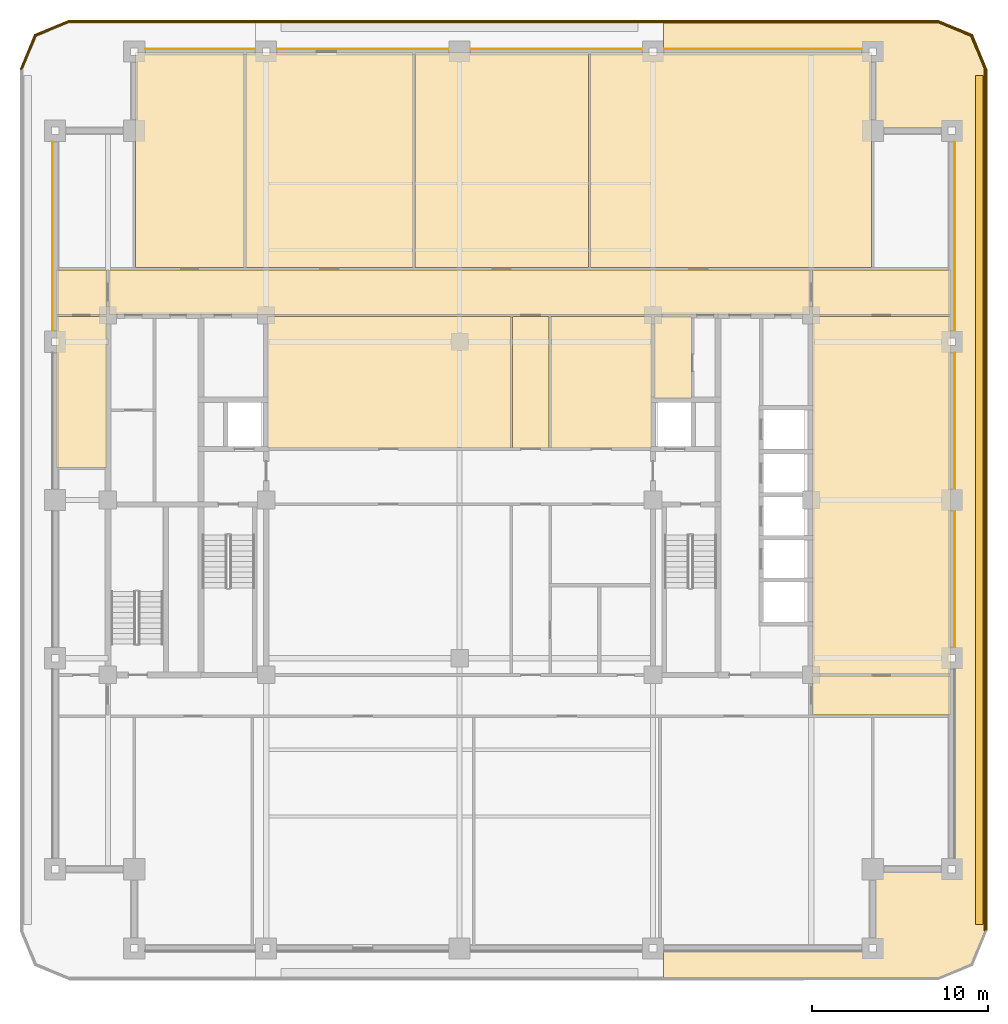
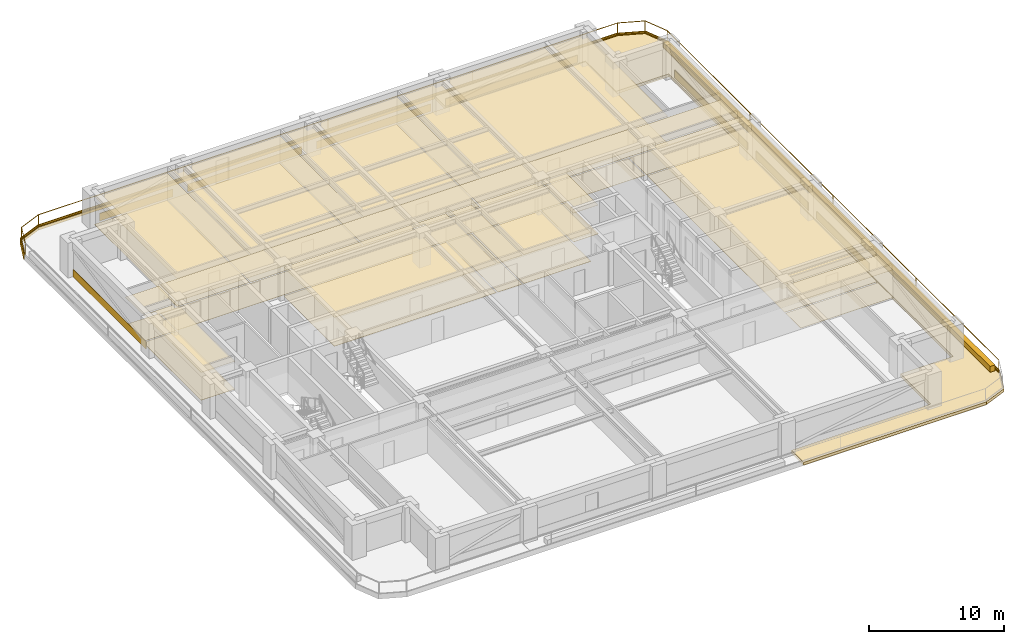
# One storey, part 13 of 13: 44 coverings, 2 railings.
"""IFC4 building model written with IfcOpenShell, lengths in metres."""

from ifc_helpers import new_model, si_unit, direction, frame, frame_2d, origin, origin_2d, place, context, subcontext, project, spatial, polyline, rectangle, outline, extrude, material, layer, layer_set, type_object, element, save


model = new_model("IFC4")

# Units and contexts
model_context = context("Model", 3, precision=1e-05, world=origin(), true_north=direction((0.0, 1.0)))
body_context = subcontext(model_context, "Body", "Model", "MODEL_VIEW")
ifc_project = project(units=[si_unit("LENGTHUNIT", "METRE"), si_unit("AREAUNIT", "SQUARE_METRE"), si_unit("VOLUMEUNIT", "CUBIC_METRE"), si_unit("PLANEANGLEUNIT", "RADIAN"), si_unit("MASSUNIT", "GRAM", prefix="KILO")], contexts=[model_context])

# Site, building, storey
site_placement = place(None, origin())
site = spatial("IfcSite", under=ifc_project, at=site_placement, CompositionType="ELEMENT")
building_placement = place(site_placement, origin())
building = spatial("IfcBuilding", under=site, at=building_placement, Name="Zulmaris Gate Convention Tower", CompositionType="ELEMENT")
storey_placement = place(building_placement, frame((0.0, 0.0, 112.780029296875)))
storey = spatial("IfcBuildingStorey", under=building, at=storey_placement, Name="L28", CompositionType="ELEMENT", Elevation=112.780029296875)

# Coverings
ifc_material_1 = material(Name="Precast concrete C40/50", Category="concrete")
ifc_layer_1 = layer(ifc_material_1, 0.0400390625, Name="Precast concrete C40/50")
ifc_layer_set_1 = layer_set([ifc_layer_1], Name="Precast concrete C40/50")
covering_type_1 = type_object("IfcCoveringType", Name="CLAD-SPANDREL-PRECAST", PredefinedType="CLADDING", material=ifc_layer_set_1)
covering_1_placement = place(storey_placement, frame((-11.6298828125, 25.64990234375, 0.0), z_axis=(0.0, 0.0, 1.0), x_axis=(-1.0, 0.0, 0.0)))
element("IfcCovering", 1, at=covering_1_placement, inside=storey, type_object=covering_type_1, Name="CLD-L28-N-0_0", PredefinedType="CLADDING", context=body_context, shape_type="SweptSolid", body=[
    extrude(rectangle(XDim=6.240234375, YDim=0.0400390625, at=frame_2d((3.1201171875, 0.0))), origin(), (0.0, 0.0, 1.0), 0.679931640625),
])
for number, where, z_axis, x_axis, name in (
    (2, (-0.6298828125, 25.64990234375, 0.0), (0.0, 0.0, 1.0), (-1.0, 0.0, 0.0), "CLD-L28-N-1_0"),
    (3, (10.3701171875, 25.64990234375, 0.0), (0.0, 0.0, 1.0), (-1.0, 0.0, 0.0), "CLD-L28-N-2_0"),
):
    element("IfcCovering", number, at=place(storey_placement, frame(where, z_axis=z_axis, x_axis=x_axis)), inside=storey, type_object=covering_type_1, Name=name, PredefinedType="CLADDING", context=body_context, shape_type="SweptSolid", body=[
        extrude(rectangle(XDim=9.740234375, YDim=0.0400390625, at=frame_2d((4.8701171875, 0.0))), origin(), (0.0, 0.0, 1.0), 0.679931640625),
    ])
covering_2_placement = place(storey_placement, frame((22.8701171875, 25.64990234375, 0.0), z_axis=(0.0, 0.0, 1.0), x_axis=(-1.0, 0.0, 0.0)))
element("IfcCovering", 4, at=covering_2_placement, inside=storey, type_object=covering_type_1, Name="CLD-L28-N-3_0", PredefinedType="CLADDING", context=body_context, shape_type="SweptSolid", body=[
    extrude(rectangle(XDim=11.240234375, YDim=0.0400390625, at=frame_2d((5.6201171875, 0.0))), origin(), (0.0, 0.0, 1.0), 0.679931640625),
])
for number, where, z_axis, x_axis, name in (
    (5, (28.14990234375, -8.3701171875, 0.0), (0.0, 0.0, 1.0), (0.0, 1.0, 0.0), "CLD-L28-E-1_0"),
    (6, (28.14990234375, 0.6298828125, 0.0), (0.0, 0.0, 1.0), (0.0, 1.0, 0.0), "CLD-L28-E-2_0"),
):
    element("IfcCovering", number, at=place(storey_placement, frame(where, z_axis=z_axis, x_axis=x_axis)), inside=storey, type_object=covering_type_1, Name=name, PredefinedType="CLADDING", context=body_context, shape_type="SweptSolid", body=[
        extrude(rectangle(XDim=7.740234375, YDim=0.0400390625, at=frame_2d((3.8701171875, 0.0))), origin(), (0.0, 0.0, 1.0), 0.679931640625),
    ])
for number, where, z_axis, x_axis, name in (
    (7, (28.14990234375, 9.6298828125, 0.0), (0.0, 0.0, 1.0), (0.0, 1.0, 0.0), "CLD-L28-E-3_0"),
    (8, (-23.14990234375, 20.3701171875, 0.0), (0.0, 0.0, 1.0), (0.0, -1.0, 0.0), "CLD-L28-W-3_0"),
):
    element("IfcCovering", number, at=place(storey_placement, frame(where, z_axis=z_axis, x_axis=x_axis)), inside=storey, type_object=covering_type_1, Name=name, PredefinedType="CLADDING", context=body_context, shape_type="SweptSolid", body=[
        extrude(rectangle(XDim=10.740234375, YDim=0.0400390625, at=frame_2d((5.3701171875, 0.0))), origin(), (0.0, 0.0, 1.0), 0.679931640625),
    ])
ifc_material_2 = material(Name="White Glazed Architectural Precast Concrete C40/50", Category="concrete")
ifc_layer_2 = layer(ifc_material_2, 0.239990234375, Name="White Glazed Architectural Precast Concrete C40/50")
ifc_layer_set_2 = layer_set([ifc_layer_2], Name="White Glazed Architectural Precast Concrete C40/50")
covering_type_2 = type_object("IfcCoveringType", Name="CLAD-TRAY-DECK", PredefinedType="CLADDING", material=ifc_layer_set_2)
covering_3_placement = place(storey_placement, frame((0.0, 0.0, -0.25)))
element("IfcCovering", 9, at=covering_3_placement, inside=storey, type_object=covering_type_2, Name="L28 East Rounded-Fascia Planter Tray Deck", PredefinedType="CLADDING", context=body_context, shape_type="SweptSolid", body=[
    extrude(outline(polyline([(27.199951171875, 27.300048828125), (29.179931640625, 26.47998046875), (30.0, 24.5), (30.0, -24.5), (29.179931640625, -26.47998046875), (27.199951171875, -27.300048828125), (11.60205078125, -27.300048828125), (11.60205078125, -25.5), (23.5, -25.5), (23.5, -21.0), (28.0, -21.0), (28.0, 21.0), (23.5, 21.0), (23.5, 25.5), (11.60205078125, 25.5), (11.60205078125, 27.300048828125), (27.199951171875, 27.300048828125)])), origin(), (0.0, 0.0, 1.0), 0.260009765625),
])
ifc_layer_3 = layer(ifc_material_2, 0.080078125, Name="White Glazed Architectural Precast Concrete C40/50")
ifc_layer_set_3 = layer_set([ifc_layer_3], Name="White Glazed Architectural Precast Concrete C40/50")
covering_type_3 = type_object("IfcCoveringType", Name="CLAD-TRAY-FASCIA", PredefinedType="CLADDING", material=ifc_layer_set_3)
covering_4_placement = place(storey_placement, frame((29.9599609375, -24.5, -0.2900390625), z_axis=(0.0, 0.0, 1.0), x_axis=(0.0, 1.0, 0.0)))
element("IfcCovering", 10, at=covering_4_placement, inside=storey, type_object=covering_type_3, Name="FSC-L28-TR-05", PredefinedType="CLADDING", context=body_context, shape_type="SweptSolid", body=[
    extrude(rectangle(XDim=49.0, YDim=0.080078125, at=frame_2d((24.5, 0.0))), origin(), (0.0, 0.0, 1.0), 0.4599609375),
])
covering_5_placement = place(storey_placement, frame((29.962890625, 24.484619140625, -0.2900390625), z_axis=(0.0, 0.0, 1.0), x_axis=(-0.382656984709, 0.923890487046, 0.0)))
element("IfcCovering", 11, at=covering_5_placement, inside=storey, type_object=covering_type_3, Name="FSC-L28-TR-06", PredefinedType="CLADDING", context=body_context, shape_type="SweptSolid", body=[
    extrude(rectangle(XDim=2.14306640625, YDim=0.080078125, at=frame_2d((1.071533203125, 0.0))), origin(), (0.0, 0.0, 1.0), 0.4599609375),
])
covering_6_placement = place(storey_placement, frame((29.16455078125, 26.44287109375, -0.2900390625), z_axis=(0.0, 0.0, 1.0), x_axis=(-0.923873803533, 0.382697263049, 0.0)))
element("IfcCovering", 12, at=covering_6_placement, inside=storey, type_object=covering_type_3, Name="FSC-L28-TR-07", PredefinedType="CLADDING", context=body_context, shape_type="SweptSolid", body=[
    extrude(rectangle(XDim=2.142822265625, YDim=0.080078125, at=frame_2d((1.0712890625, 0.0))), origin(), (0.0, 0.0, 1.0), 0.4599609375),
])
covering_7_placement = place(storey_placement, frame((27.199951171875, 27.260009765625, -0.2900390625), z_axis=(0.0, 0.0, 1.0), x_axis=(-1.0, 0.0, 0.0)))
element("IfcCovering", 13, at=covering_7_placement, inside=storey, type_object=covering_type_3, Name="FSC-L28-TR-08", PredefinedType="CLADDING", context=body_context, shape_type="SweptSolid", body=[
    extrude(rectangle(XDim=49.39990234375, YDim=0.080078125, at=frame_2d((24.699951171875, 0.0))), origin(), (0.0, 0.0, 1.0), 0.4599609375),
])
covering_8_placement = place(storey_placement, frame((-22.184814453125, 27.262939453125, -0.2900390625), z_axis=(0.0, 0.0, 1.0), x_axis=(-0.923873803533, -0.382697263049, 0.0)))
element("IfcCovering", 14, at=covering_8_placement, inside=storey, type_object=covering_type_3, Name="FSC-L28-TR-09", PredefinedType="CLADDING", context=body_context, shape_type="SweptSolid", body=[
    extrude(rectangle(XDim=2.142822265625, YDim=0.080078125, at=frame_2d((1.0712890625, 0.0))), origin(), (0.0, 0.0, 1.0), 0.4599609375),
])
covering_9_placement = place(storey_placement, frame((-24.142822265625, 26.464599609375, -0.2900390625), z_axis=(0.0, 0.0, 1.0), x_axis=(-0.382656984709, -0.923890487046, 0.0)))
element("IfcCovering", 15, at=covering_9_placement, inside=storey, type_object=covering_type_3, Name="FSC-L28-TR-10", PredefinedType="CLADDING", context=body_context, shape_type="SweptSolid", body=[
    extrude(rectangle(XDim=2.14306640625, YDim=0.080078125, at=frame_2d((1.071533203125, 0.0))), origin(), (0.0, 0.0, 1.0), 0.4599609375),
])
ifc_material_3 = material(Name="Mineral Fibre Acoustic Ceiling Tile")
ifc_layer_4 = layer(ifc_material_3, 0.02001953125, Name="Mineral Fibre Acoustic Ceiling Tile")
ifc_layer_set_4 = layer_set([ifc_layer_4], Name="Mineral Fibre Acoustic Ceiling Tile")
covering_type_4 = type_object("IfcCoveringType", Name="CLG-ACOUSTIC-600", PredefinedType="CEILING", material=ifc_layer_set_4)
covering_10_placement = place(storey_placement, frame((0.0, 0.0, 2.602783203125)))
element("IfcCovering", 16, at=covering_10_placement, inside=storey, type_object=covering_type_4, Name="CLG-L28-R12", PredefinedType="CEILING", context=body_context, shape_type="SweptSolid", body=[
    extrude(outline(polyline([(11.06005859375, 5.760009765625), (13.18994140625, 5.760009765625), (13.18994140625, 10.43994140625), (11.06005859375, 10.43994140625), (11.06005859375, 5.760009765625)])), origin(), (0.0, 0.0, 1.0), 0.02001953125),
])
covering_11_placement = place(storey_placement, frame((0.0, 0.0, 2.602783203125)))
element("IfcCovering", 17, at=covering_11_placement, inside=storey, type_object=covering_type_4, Name="CLG-L28-R28", PredefinedType="CEILING", context=body_context, shape_type="SweptSolid", body=[
    extrude(outline(polyline([(-19.93994140625, 10.56005859375), (19.93994140625, 10.56005859375), (19.93994140625, 13.090087890625), (-19.93994140625, 13.090087890625), (-19.93994140625, 10.56005859375)])), origin(), (0.0, 0.0, 1.0), 0.02001953125),
])
covering_12_placement = place(storey_placement, frame((0.0, 0.0, 2.602783203125)))
element("IfcCovering", 18, at=covering_12_placement, inside=storey, type_object=covering_type_4, Name="CLG-L28-R31", PredefinedType="CEILING", context=body_context, shape_type="SweptSolid", body=[
    extrude(outline(polyline([(3.010009765625, 2.9599609375), (5.090087890625, 2.9599609375), (5.090087890625, 10.43994140625), (3.010009765625, 10.43994140625), (3.010009765625, 2.9599609375)])), origin(), (0.0, 0.0, 1.0), 0.02001953125),
])
covering_13_placement = place(storey_placement, frame((0.0, 0.0, 2.5048828125)))
element("IfcCovering", 19, at=covering_13_placement, inside=storey, type_object=covering_type_4, Name="CLG-L28-R33", PredefinedType="CEILING", context=body_context, shape_type="SweptSolid", body=[
    extrude(outline(polyline([(-18.43994140625, 13.2099609375), (-12.260009765625, 13.2099609375), (-12.260009765625, 25.43994140625), (-18.43994140625, 25.43994140625), (-18.43994140625, 13.2099609375)])), origin(), (0.0, 0.0, 1.0), 0.02001953125),
])
covering_14_placement = place(storey_placement, frame((0.0, 0.0, 2.5048828125)))
element("IfcCovering", 20, at=covering_14_placement, inside=storey, type_object=covering_type_4, Name="CLG-L28-R34", PredefinedType="CEILING", context=body_context, shape_type="SweptSolid", body=[
    extrude(outline(polyline([(-12.139892578125, 13.2099609375), (-2.659912109375, 13.2099609375), (-2.659912109375, 25.43994140625), (-12.139892578125, 25.43994140625), (-12.139892578125, 13.2099609375)])), origin(), (0.0, 0.0, 1.0), 0.02001953125),
])
covering_15_placement = place(storey_placement, frame((0.0, 0.0, 2.5048828125)))
element("IfcCovering", 21, at=covering_15_placement, inside=storey, type_object=covering_type_4, Name="CLG-L28-R35", PredefinedType="CEILING", context=body_context, shape_type="SweptSolid", body=[
    extrude(outline(polyline([(-2.5400390625, 13.2099609375), (7.340087890625, 13.2099609375), (7.340087890625, 25.43994140625), (-2.5400390625, 25.43994140625), (-2.5400390625, 13.2099609375)])), origin(), (0.0, 0.0, 1.0), 0.02001953125),
])
covering_16_placement = place(storey_placement, frame((0.0, 0.0, 2.5048828125)))
element("IfcCovering", 22, at=covering_16_placement, inside=storey, type_object=covering_type_4, Name="CLG-L28-R36", PredefinedType="CEILING", context=body_context, shape_type="SweptSolid", body=[
    extrude(outline(polyline([(7.4599609375, 13.2099609375), (23.43994140625, 13.2099609375), (23.43994140625, 25.43994140625), (7.4599609375, 25.43994140625), (7.4599609375, 13.2099609375)])), origin(), (0.0, 0.0, 1.0), 0.02001953125),
])
covering_17_placement = place(storey_placement, frame((0.0, 0.0, 2.602783203125)))
element("IfcCovering", 23, at=covering_17_placement, inside=storey, type_object=covering_type_4, Name="CLG-L28-R41", PredefinedType="CEILING", context=body_context, shape_type="SweptSolid", body=[
    extrude(outline(polyline([(-10.93994140625, 2.9599609375), (2.889892578125, 2.9599609375), (2.889892578125, 10.43994140625), (-10.93994140625, 10.43994140625), (-10.93994140625, 2.9599609375)])), origin(), (0.0, 0.0, 1.0), 0.02001953125),
])
covering_18_placement = place(storey_placement, frame((0.0, 0.0, 2.602783203125)))
element("IfcCovering", 24, at=covering_18_placement, inside=storey, type_object=covering_type_4, Name="CLG-L28-R42", PredefinedType="CEILING", context=body_context, shape_type="SweptSolid", body=[
    extrude(outline(polyline([(5.2099609375, 2.9599609375), (10.93994140625, 2.9599609375), (10.93994140625, 10.43994140625), (5.2099609375, 10.43994140625), (5.2099609375, 2.9599609375)])), origin(), (0.0, 0.0, 1.0), 0.02001953125),
])
covering_19_placement = place(storey_placement, frame((0.0, 0.0, 2.5048828125)))
element("IfcCovering", 25, at=covering_19_placement, inside=storey, type_object=covering_type_4, Name="CLG-L28-R47", PredefinedType="CEILING", context=body_context, shape_type="SweptSolid", body=[
    extrude(outline(polyline([(-22.93994140625, 10.56005859375), (-20.06005859375, 10.56005859375), (-20.06005859375, 13.090087890625), (-22.93994140625, 13.090087890625), (-22.93994140625, 10.56005859375)])), origin(), (0.0, 0.0, 1.0), 0.02001953125),
])
covering_20_placement = place(storey_placement, frame((0.0, 0.0, 2.5048828125)))
element("IfcCovering", 26, at=covering_20_placement, inside=storey, type_object=covering_type_4, Name="CLG-L28-R49", PredefinedType="CEILING", context=body_context, shape_type="SweptSolid", body=[
    extrude(outline(polyline([(-22.93994140625, 1.860107421875), (-20.06005859375, 1.860107421875), (-20.06005859375, 10.43994140625), (-22.93994140625, 10.43994140625), (-22.93994140625, 1.860107421875)])), origin(), (0.0, 0.0, 1.0), 0.02001953125),
])
covering_21_placement = place(storey_placement, frame((0.0, 0.0, 2.5048828125)))
element("IfcCovering", 27, at=covering_21_placement, inside=storey, type_object=covering_type_4, Name="CLG-L28-R51", PredefinedType="CEILING", context=body_context, shape_type="SweptSolid", body=[
    extrude(outline(polyline([(20.06005859375, 10.56005859375), (27.93994140625, 10.56005859375), (27.93994140625, 13.090087890625), (20.06005859375, 13.090087890625), (20.06005859375, 10.56005859375)])), origin(), (0.0, 0.0, 1.0), 0.02001953125),
])
covering_22_placement = place(storey_placement, frame((0.0, 0.0, 2.5048828125)))
element("IfcCovering", 28, at=covering_22_placement, inside=storey, type_object=covering_type_4, Name="CLG-L28-R52", PredefinedType="CEILING", context=body_context, shape_type="SweptSolid", body=[
    extrude(outline(polyline([(20.06005859375, -12.239990234375), (27.93994140625, -12.239990234375), (27.93994140625, -10.010009765625), (20.06005859375, -10.010009765625), (20.06005859375, -12.239990234375)])), origin(), (0.0, 0.0, 1.0), 0.02001953125),
])
covering_23_placement = place(storey_placement, frame((0.0, 0.0, 2.5048828125)))
element("IfcCovering", 29, at=covering_23_placement, inside=storey, type_object=covering_type_4, Name="CLG-L28-R53", PredefinedType="CEILING", context=body_context, shape_type="SweptSolid", body=[
    extrude(outline(polyline([(20.06005859375, -9.889892578125), (27.93994140625, -9.889892578125), (27.93994140625, 10.43994140625), (20.06005859375, 10.43994140625), (20.06005859375, -9.889892578125)])), origin(), (0.0, 0.0, 1.0), 0.02001953125),
])
ifc_material_4 = material(Name="Woven Acoustic Wool Carpet Tile")
ifc_layer_5 = layer(ifc_material_4, 0.02001953125, Name="Woven Acoustic Wool Carpet Tile")
ifc_layer_set_5 = layer_set([ifc_layer_5], Name="Woven Acoustic Wool Carpet Tile")
covering_type_5 = type_object("IfcCoveringType", Name="FLR-CARPET-12", PredefinedType="FLOORING", material=ifc_layer_set_5)
covering_24_placement = place(storey_placement, origin())
element("IfcCovering", 30, at=covering_24_placement, inside=storey, type_object=covering_type_5, Name="FLR-L28-R12", PredefinedType="FLOORING", context=body_context, shape_type="SweptSolid", body=[
    extrude(outline(polyline([(11.06005859375, 5.760009765625), (13.18994140625, 5.760009765625), (13.18994140625, 10.43994140625), (11.06005859375, 10.43994140625), (11.06005859375, 5.760009765625)])), origin(), (0.0, 0.0, 1.0), 0.02001953125),
])
covering_25_placement = place(storey_placement, origin())
element("IfcCovering", 31, at=covering_25_placement, inside=storey, type_object=covering_type_5, Name="FLR-L28-R28", PredefinedType="FLOORING", context=body_context, shape_type="SweptSolid", body=[
    extrude(outline(polyline([(-19.93994140625, 10.56005859375), (19.93994140625, 10.56005859375), (19.93994140625, 13.090087890625), (-19.93994140625, 13.090087890625), (-19.93994140625, 10.56005859375)])), origin(), (0.0, 0.0, 1.0), 0.02001953125),
])
covering_26_placement = place(storey_placement, origin())
element("IfcCovering", 32, at=covering_26_placement, inside=storey, type_object=covering_type_5, Name="FLR-L28-R31", PredefinedType="FLOORING", context=body_context, shape_type="SweptSolid", body=[
    extrude(outline(polyline([(3.010009765625, 2.9599609375), (5.090087890625, 2.9599609375), (5.090087890625, 10.43994140625), (3.010009765625, 10.43994140625), (3.010009765625, 2.9599609375)])), origin(), (0.0, 0.0, 1.0), 0.02001953125),
])
covering_27_placement = place(storey_placement, origin())
element("IfcCovering", 33, at=covering_27_placement, inside=storey, type_object=covering_type_5, Name="FLR-L28-R33", PredefinedType="FLOORING", context=body_context, shape_type="SweptSolid", body=[
    extrude(outline(polyline([(-18.43994140625, 13.2099609375), (-12.260009765625, 13.2099609375), (-12.260009765625, 25.43994140625), (-18.43994140625, 25.43994140625), (-18.43994140625, 13.2099609375)])), origin(), (0.0, 0.0, 1.0), 0.02001953125),
])
covering_28_placement = place(storey_placement, origin())
element("IfcCovering", 34, at=covering_28_placement, inside=storey, type_object=covering_type_5, Name="FLR-L28-R34", PredefinedType="FLOORING", context=body_context, shape_type="SweptSolid", body=[
    extrude(outline(polyline([(-12.139892578125, 13.2099609375), (-2.659912109375, 13.2099609375), (-2.659912109375, 25.43994140625), (-12.139892578125, 25.43994140625), (-12.139892578125, 13.2099609375)])), origin(), (0.0, 0.0, 1.0), 0.02001953125),
])
covering_29_placement = place(storey_placement, origin())
element("IfcCovering", 35, at=covering_29_placement, inside=storey, type_object=covering_type_5, Name="FLR-L28-R35", PredefinedType="FLOORING", context=body_context, shape_type="SweptSolid", body=[
    extrude(outline(polyline([(-2.5400390625, 13.2099609375), (7.340087890625, 13.2099609375), (7.340087890625, 25.43994140625), (-2.5400390625, 25.43994140625), (-2.5400390625, 13.2099609375)])), origin(), (0.0, 0.0, 1.0), 0.02001953125),
])
covering_30_placement = place(storey_placement, origin())
element("IfcCovering", 36, at=covering_30_placement, inside=storey, type_object=covering_type_5, Name="FLR-L28-R36", PredefinedType="FLOORING", context=body_context, shape_type="SweptSolid", body=[
    extrude(outline(polyline([(7.4599609375, 13.2099609375), (23.43994140625, 13.2099609375), (23.43994140625, 25.43994140625), (7.4599609375, 25.43994140625), (7.4599609375, 13.2099609375)])), origin(), (0.0, 0.0, 1.0), 0.02001953125),
])
covering_31_placement = place(storey_placement, origin())
element("IfcCovering", 37, at=covering_31_placement, inside=storey, type_object=covering_type_5, Name="FLR-L28-R42", PredefinedType="FLOORING", context=body_context, shape_type="SweptSolid", body=[
    extrude(outline(polyline([(5.2099609375, 2.9599609375), (10.93994140625, 2.9599609375), (10.93994140625, 10.43994140625), (5.2099609375, 10.43994140625), (5.2099609375, 2.9599609375)])), origin(), (0.0, 0.0, 1.0), 0.02001953125),
])
covering_32_placement = place(storey_placement, origin())
element("IfcCovering", 38, at=covering_32_placement, inside=storey, type_object=covering_type_5, Name="FLR-L28-R47", PredefinedType="FLOORING", context=body_context, shape_type="SweptSolid", body=[
    extrude(outline(polyline([(-22.93994140625, 10.56005859375), (-20.06005859375, 10.56005859375), (-20.06005859375, 13.090087890625), (-22.93994140625, 13.090087890625), (-22.93994140625, 10.56005859375)])), origin(), (0.0, 0.0, 1.0), 0.02001953125),
])
covering_33_placement = place(storey_placement, origin())
element("IfcCovering", 39, at=covering_33_placement, inside=storey, type_object=covering_type_5, Name="FLR-L28-R49", PredefinedType="FLOORING", context=body_context, shape_type="SweptSolid", body=[
    extrude(outline(polyline([(-22.93994140625, 1.860107421875), (-20.06005859375, 1.860107421875), (-20.06005859375, 10.43994140625), (-22.93994140625, 10.43994140625), (-22.93994140625, 1.860107421875)])), origin(), (0.0, 0.0, 1.0), 0.02001953125),
])
covering_34_placement = place(storey_placement, origin())
element("IfcCovering", 40, at=covering_34_placement, inside=storey, type_object=covering_type_5, Name="FLR-L28-R51", PredefinedType="FLOORING", context=body_context, shape_type="SweptSolid", body=[
    extrude(outline(polyline([(20.06005859375, 10.56005859375), (27.93994140625, 10.56005859375), (27.93994140625, 13.090087890625), (20.06005859375, 13.090087890625), (20.06005859375, 10.56005859375)])), origin(), (0.0, 0.0, 1.0), 0.02001953125),
])
covering_35_placement = place(storey_placement, origin())
element("IfcCovering", 41, at=covering_35_placement, inside=storey, type_object=covering_type_5, Name="FLR-L28-R52", PredefinedType="FLOORING", context=body_context, shape_type="SweptSolid", body=[
    extrude(outline(polyline([(20.06005859375, -12.239990234375), (27.93994140625, -12.239990234375), (27.93994140625, -10.010009765625), (20.06005859375, -10.010009765625), (20.06005859375, -12.239990234375)])), origin(), (0.0, 0.0, 1.0), 0.02001953125),
])
covering_36_placement = place(storey_placement, origin())
element("IfcCovering", 42, at=covering_36_placement, inside=storey, type_object=covering_type_5, Name="FLR-L28-R53", PredefinedType="FLOORING", context=body_context, shape_type="SweptSolid", body=[
    extrude(outline(polyline([(20.06005859375, -9.889892578125), (27.93994140625, -9.889892578125), (27.93994140625, 10.43994140625), (20.06005859375, 10.43994140625), (20.06005859375, -9.889892578125)])), origin(), (0.0, 0.0, 1.0), 0.02001953125),
])
ifc_material_5 = material(Name="Polished Granite Terrazzo Tile", Category="masonry")
ifc_layer_6 = layer(ifc_material_5, 0.02001953125, Name="Polished Granite Terrazzo Tile")
ifc_layer_set_6 = layer_set([ifc_layer_6], Name="Polished Granite Terrazzo Tile")
covering_type_6 = type_object("IfcCoveringType", Name="FLR-TERRAZZO-30", PredefinedType="FLOORING", material=ifc_layer_set_6)
covering_37_placement = place(storey_placement, origin())
element("IfcCovering", 43, at=covering_37_placement, inside=storey, type_object=covering_type_6, Name="FLR-L28-R41", PredefinedType="FLOORING", context=body_context, shape_type="SweptSolid", body=[
    extrude(outline(polyline([(-10.93994140625, 2.9599609375), (2.889892578125, 2.9599609375), (2.889892578125, 10.43994140625), (-10.93994140625, 10.43994140625), (-10.93994140625, 2.9599609375)])), origin(), (0.0, 0.0, 1.0), 0.02001953125),
])
ifc_material_6 = material(Name="Botanical Green Glazed Precast Concrete C40/50", Category="concrete")
ifc_layer_7 = layer(ifc_material_6, 0.419921875, Name="Botanical Green Glazed Precast Concrete C40/50")
ifc_layer_set_7 = layer_set([ifc_layer_7], Name="Botanical Green Glazed Precast Concrete C40/50")
covering_type_7 = type_object("IfcCoveringType", Name="PLANTER-BOX-200", PredefinedType="CLADDING", material=ifc_layer_set_7)
covering_38_placement = place(storey_placement, frame((0.0, 0.0, 0.010009765625)))
element("IfcCovering", 44, at=covering_38_placement, inside=storey, type_object=covering_type_7, Name="L28 E Full-Length Balcony Tree Planter Trough", PredefinedType="CLADDING", context=body_context, shape_type="SweptSolid", body=[
    extrude(outline(polyline([(29.340087890625, -24.14990234375), (29.760009765625, -24.14990234375), (29.760009765625, 24.14990234375), (29.340087890625, 24.14990234375), (29.340087890625, -24.14990234375)])), origin(), (0.0, 0.0, 1.0), 0.52001953125),
])

# Railings
ifc_material_7 = material(Name="Laminated Glass and Stainless Steel", Category="steel")
railing_type = type_object("IfcRailingType", Name="RL-BALC-1150", PredefinedType="BALUSTRADE", material=ifc_material_7)
railing_1_placement = place(storey_placement, frame((29.8798828125, -24.5, 0.010009765625)))
element("IfcRailing", 45, at=railing_1_placement, inside=storey, type_object=railing_type, Name="RL-L28-BALC-E", PredefinedType="BALUSTRADE", context=body_context, shape_type="SweptSolid", body=[
    extrude(rectangle(XDim=0.048095703125, YDim=0.048095703125, at=origin_2d()), frame((0.0, 0.0, 1.1259765625), z_axis=(0.0, 1.0, 0.0), x_axis=(-1.0, 0.0, 0.0)), (0.0, 0.0, 1.0), 49.0),
    extrude(rectangle(XDim=0.048095703125, YDim=0.048095703125, at=origin_2d()), frame((0.0, 0.0, 0.02392578125), z_axis=(0.0, 1.0, 0.0), x_axis=(-1.0, 0.0, 0.0)), (0.0, 0.0, 1.0), 49.0),
    extrude(rectangle(XDim=0.0419921875, YDim=0.0419921875, at=origin_2d()), origin(), (0.0, 0.0, 1.0), 1.101806640625),
    extrude(rectangle(XDim=0.0419921875, YDim=0.0419921875, at=origin_2d()), frame((0.0, 12.25, 0.0)), (0.0, 0.0, 1.0), 1.101806640625),
    extrude(rectangle(XDim=0.0419921875, YDim=0.0419921875, at=origin_2d()), frame((0.0, 24.5, 0.0)), (0.0, 0.0, 1.0), 1.101806640625),
    extrude(rectangle(XDim=0.0419921875, YDim=0.0419921875, at=origin_2d()), frame((0.0, 36.75, 0.0)), (0.0, 0.0, 1.0), 1.101806640625),
    extrude(rectangle(XDim=0.0419921875, YDim=0.0419921875, at=origin_2d()), frame((0.0, 49.0, 0.0)), (0.0, 0.0, 1.0), 1.101806640625),
])
railing_2_placement = place(storey_placement, frame((29.8798828125, 24.5, 0.010009765625)))
element("IfcRailing", 46, at=railing_2_placement, inside=storey, type_object=railing_type, Name="RL-L28-BALC-N", PredefinedType="BALUSTRADE", context=body_context, shape_type="SweptSolid", body=[
    extrude(rectangle(XDim=0.048095703125, YDim=0.048095703125, at=origin_2d()), frame((0.0, 0.0, 1.1259765625), z_axis=(-0.382670664694, 0.92388482095, 0.0), x_axis=(-0.92388482095, -0.382670664694, 0.0)), (0.0, 0.0, 1.0), 2.051025390625),
    extrude(rectangle(XDim=0.048095703125, YDim=0.048095703125, at=origin_2d()), frame((0.0, 0.0, 0.02392578125), z_axis=(-0.382670664694, 0.92388482095, 0.0), x_axis=(-0.92388482095, -0.382670664694, 0.0)), (0.0, 0.0, 1.0), 2.051025390625),
    extrude(rectangle(XDim=0.048095703125, YDim=0.048095703125, at=origin_2d()), frame((-0.784912109375, 1.89501953125, 1.1259765625), z_axis=(-0.92388482095, 0.382670664694, 0.0), x_axis=(-0.382670664694, -0.92388482095, 0.0)), (0.0, 0.0, 1.0), 2.051025390625),
    extrude(rectangle(XDim=0.048095703125, YDim=0.048095703125, at=origin_2d()), frame((-0.784912109375, 1.89501953125, 0.02392578125), z_axis=(-0.92388482095, 0.382670664694, 0.0), x_axis=(-0.382670664694, -0.92388482095, 0.0)), (0.0, 0.0, 1.0), 2.051025390625),
    extrude(rectangle(XDim=0.048095703125, YDim=0.048095703125, at=origin_2d()), frame((-2.679931640625, 2.679931640625, 1.1259765625), z_axis=(-1.0, 0.0, 0.0), x_axis=(0.0, -1.0, 0.0)), (0.0, 0.0, 1.0), 49.39990234375),
    extrude(rectangle(XDim=0.048095703125, YDim=0.048095703125, at=origin_2d()), frame((-2.679931640625, 2.679931640625, 0.02392578125), z_axis=(-1.0, 0.0, 0.0), x_axis=(0.0, -1.0, 0.0)), (0.0, 0.0, 1.0), 49.39990234375),
    extrude(rectangle(XDim=0.048095703125, YDim=0.048095703125, at=origin_2d()), frame((-52.079833984375, 2.679931640625, 1.1259765625), z_axis=(-0.92388482095, -0.382670664694, 0.0), x_axis=(0.382670664694, -0.92388482095, 0.0)), (0.0, 0.0, 1.0), 2.051025390625),
    extrude(rectangle(XDim=0.048095703125, YDim=0.048095703125, at=origin_2d()), frame((-52.079833984375, 2.679931640625, 0.02392578125), z_axis=(-0.92388482095, -0.382670664694, 0.0), x_axis=(0.382670664694, -0.92388482095, 0.0)), (0.0, 0.0, 1.0), 2.051025390625),
    extrude(rectangle(XDim=0.048095703125, YDim=0.048095703125, at=origin_2d()), frame((-53.974853515625, 1.89501953125, 1.1259765625), z_axis=(-0.382670664694, -0.92388482095, 0.0), x_axis=(0.92388482095, -0.382670664694, 0.0)), (0.0, 0.0, 1.0), 2.051025390625),
    extrude(rectangle(XDim=0.048095703125, YDim=0.048095703125, at=origin_2d()), frame((-53.974853515625, 1.89501953125, 0.02392578125), z_axis=(-0.382670664694, -0.92388482095, 0.0), x_axis=(0.92388482095, -0.382670664694, 0.0)), (0.0, 0.0, 1.0), 2.051025390625),
    extrude(rectangle(XDim=0.0419921875, YDim=0.0419921875, at=origin_2d()), origin(), (0.0, 0.0, 1.0), 1.101806640625),
    extrude(rectangle(XDim=0.0419921875, YDim=0.0419921875, at=origin_2d()), frame((-0.784912109375, 1.89501953125, 0.0)), (0.0, 0.0, 1.0), 1.101806640625),
    extrude(rectangle(XDim=0.0419921875, YDim=0.0419921875, at=origin_2d()), frame((-2.679931640625, 2.679931640625, 0.0)), (0.0, 0.0, 1.0), 1.101806640625),
    extrude(rectangle(XDim=0.0419921875, YDim=0.0419921875, at=origin_2d()), frame((-15.02978515625, 2.679931640625, 0.0)), (0.0, 0.0, 1.0), 1.101806640625),
    extrude(rectangle(XDim=0.0419921875, YDim=0.0419921875, at=origin_2d()), frame((-27.3798828125, 2.679931640625, 0.0)), (0.0, 0.0, 1.0), 1.101806640625),
    extrude(rectangle(XDim=0.0419921875, YDim=0.0419921875, at=origin_2d()), frame((-39.72998046875, 2.679931640625, 0.0)), (0.0, 0.0, 1.0), 1.101806640625),
    extrude(rectangle(XDim=0.0419921875, YDim=0.0419921875, at=origin_2d()), frame((-52.079833984375, 2.679931640625, 0.0)), (0.0, 0.0, 1.0), 1.101806640625),
    extrude(rectangle(XDim=0.0419921875, YDim=0.0419921875, at=origin_2d()), frame((-53.974853515625, 1.89501953125, 0.0)), (0.0, 0.0, 1.0), 1.101806640625),
    extrude(rectangle(XDim=0.0419921875, YDim=0.0419921875, at=origin_2d()), frame((-54.759765625, 0.0, 0.0)), (0.0, 0.0, 1.0), 1.101806640625),
])

save(model, "model.ifc")
